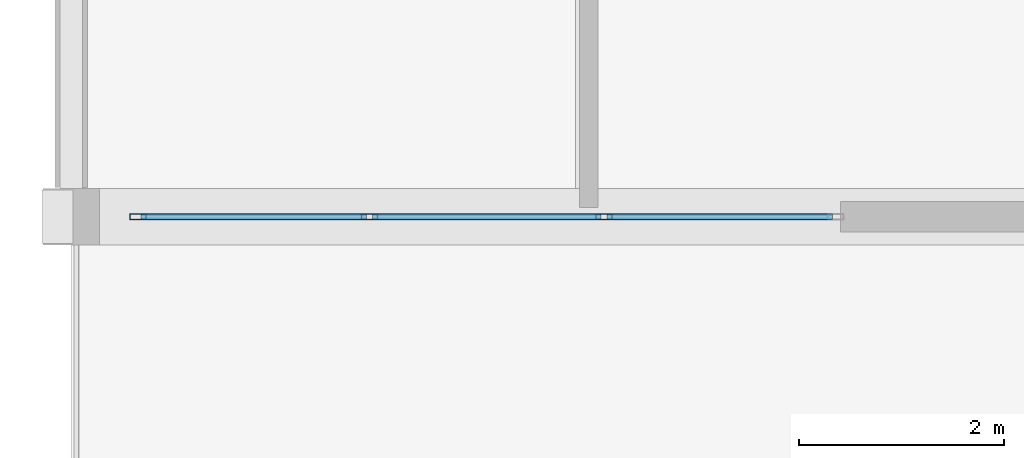
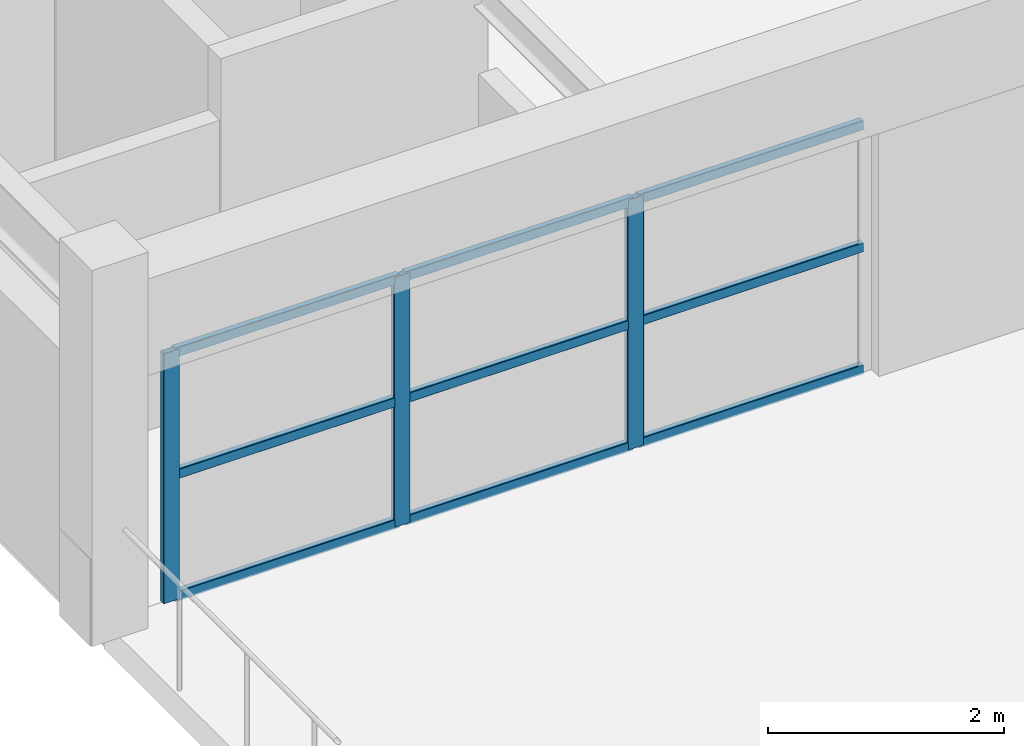
# One storey, part 2 of 101: 12 members, 1 element without a shape of its own.
"""IFC4 building model written with IfcOpenShell, lengths in metres."""

from ifc_helpers import new_model, si_unit, direction, frame, origin, origin_2d, place, context, subcontext, project, spatial, hollow_rectangle, extrude, material, material_profile, profile_set, type_object, element, aggregate, save


model = new_model("IFC4")

# Units and contexts
model_context = context("Model", 3, precision=1e-05, world=origin(), true_north=direction((0.0, 1.0)))
body_context = subcontext(model_context, "Body", "Model", "MODEL_VIEW")
ifc_project = project(units=[si_unit("LENGTHUNIT", "METRE"), si_unit("AREAUNIT", "SQUARE_METRE"), si_unit("VOLUMEUNIT", "CUBIC_METRE"), si_unit("PLANEANGLEUNIT", "RADIAN"), si_unit("MASSUNIT", "GRAM", prefix="KILO")], contexts=[model_context])

# Site, building, storey
site_placement = place(None, origin())
site = spatial("IfcSite", under=ifc_project, at=site_placement, CompositionType="ELEMENT")
building_placement = place(site_placement, origin())
building = spatial("IfcBuilding", under=site, at=building_placement, Name="Qasida Concert Hall", CompositionType="ELEMENT")
storey_placement = place(building_placement, frame((0.0, 0.0, 13.199951171875)))
storey = spatial("IfcBuildingStorey", under=building, at=storey_placement, Name="L03", CompositionType="ELEMENT", Elevation=13.199951171875)

# Curtain wall, members
ifc_material_1 = material(Name="Architectural bronze-anodized aluminium and low-E glass", Category="aluminium")
curtain_wall_type = type_object("IfcCurtainWallType", Name="CW-09", PredefinedType="NOTDEFINED", material=ifc_material_1)
curtain_wall_placement = place(storey_placement, origin())
curtain_wall = element("IfcCurtainWall", 1, at=curtain_wall_placement, inside=storey, type_object=curtain_wall_type, Name="L03 curtain wall CW-09 0117", PredefinedType="NOTDEFINED")
ifc_material_2 = material(Name="Architectural bronze-anodized aluminium EN AW-6063", Category="aluminium")
ifc_material_profile_1 = material_profile(ifc_material_2, hollow_rectangle(XDim=0.06005859375, YDim=0.159912109375, WallThickness=0.00390625, InnerFilletRadius=0.00390625, OuterFilletRadius=0.008056640625, at=origin_2d()), Name="CWM 160x60x4")
ifc_profile_set_1 = profile_set([ifc_material_profile_1], Name="Architectural bronze-anodized aluminium EN AW-6063")
member_type_1 = type_object("IfcMemberType", Name="MB-CWM-3", PredefinedType="MULLION", material=ifc_profile_set_1)
member_1_placement = place(storey_placement, frame((0.64990234375, 15.0, 0.0), z_axis=(0.0, 0.0, 1.0), x_axis=(0.0, 1.0, 0.0)))
member_1 = element("IfcMember", 2, at=member_1_placement, type_object=member_type_1, Name="CW-09 mullion 1", PredefinedType="MULLION", context=body_context, shape_type="SweptSolid", body=[
    extrude(hollow_rectangle(XDim=0.06005859375, YDim=0.159912109375, WallThickness=0.00390625, InnerFilletRadius=0.00390625, OuterFilletRadius=0.008056640625, at=origin_2d()), origin(), (0.0, 0.0, 1.0), 2.590087890625),
])
member_2_placement = place(storey_placement, frame((2.909912109375, 15.0, 0.0), z_axis=(0.0, 0.0, 1.0), x_axis=(0.0, 1.0, 0.0)))
member_2 = element("IfcMember", 3, at=member_2_placement, type_object=member_type_1, Name="CW-09 mullion 2", PredefinedType="MULLION", context=body_context, shape_type="SweptSolid", body=[
    extrude(hollow_rectangle(XDim=0.06005859375, YDim=0.159912109375, WallThickness=0.00390625, InnerFilletRadius=0.00390625, OuterFilletRadius=0.008056640625, at=origin_2d()), origin(), (0.0, 0.0, 1.0), 2.590087890625),
])
member_3_placement = place(storey_placement, frame((5.199951171875, 15.0, 0.0), z_axis=(0.0, 0.0, 1.0), x_axis=(0.0, 1.0, 0.0)))
member_3 = element("IfcMember", 4, at=member_3_placement, type_object=member_type_1, Name="CW-09 mullion 3", PredefinedType="MULLION", context=body_context, shape_type="SweptSolid", body=[
    extrude(hollow_rectangle(XDim=0.06005859375, YDim=0.159912109375, WallThickness=0.00390625, InnerFilletRadius=0.00390625, OuterFilletRadius=0.008056640625, at=origin_2d()), origin(), (0.0, 0.0, 1.0), 2.590087890625),
])
ifc_material_profile_2 = material_profile(ifc_material_2, hollow_rectangle(XDim=0.06005859375, YDim=0.10009765625, WallThickness=0.00341796875, InnerFilletRadius=0.00341796875, OuterFilletRadius=0.007080078125, at=origin_2d()), Name="CWT 100x60x3.5")
ifc_profile_set_2 = profile_set([ifc_material_profile_2], Name="Architectural bronze-anodized aluminium EN AW-6063")
member_type_2 = type_object("IfcMemberType", Name="MB-CWT-3", PredefinedType="USERDEFINED", material=ifc_profile_set_2)
member_4_placement = place(storey_placement, frame((0.679931640625, 15.0, 0.030029296875), z_axis=(1.0, 0.0, 0.0), x_axis=(0.0, 1.0, 0.0)))
member_4 = element("IfcMember", 5, at=member_4_placement, type_object=member_type_2, Name="CW-09 transom 1.1", ObjectType="TRANSOM", PredefinedType="USERDEFINED", context=body_context, shape_type="SweptSolid", body=[
    extrude(hollow_rectangle(XDim=0.06005859375, YDim=0.10009765625, WallThickness=0.00341796875, InnerFilletRadius=0.00341796875, OuterFilletRadius=0.007080078125, at=origin_2d()), origin(), (0.0, 0.0, 1.0), 2.199951171875),
])
member_5_placement = place(storey_placement, frame((0.679931640625, 15.0, 1.295166015625), z_axis=(1.0, 0.0, 0.0), x_axis=(0.0, 1.0, 0.0)))
member_5 = element("IfcMember", 6, at=member_5_placement, type_object=member_type_2, Name="CW-09 transom 1.2", ObjectType="TRANSOM", PredefinedType="USERDEFINED", context=body_context, shape_type="SweptSolid", body=[
    extrude(hollow_rectangle(XDim=0.06005859375, YDim=0.10009765625, WallThickness=0.00341796875, InnerFilletRadius=0.00341796875, OuterFilletRadius=0.007080078125, at=origin_2d()), origin(), (0.0, 0.0, 1.0), 2.199951171875),
])
member_6_placement = place(storey_placement, frame((0.679931640625, 15.0, 2.56005859375), z_axis=(1.0, 0.0, 0.0), x_axis=(0.0, 1.0, 0.0)))
member_6 = element("IfcMember", 7, at=member_6_placement, type_object=member_type_2, Name="CW-09 transom 1.3", ObjectType="TRANSOM", PredefinedType="USERDEFINED", context=body_context, shape_type="SweptSolid", body=[
    extrude(hollow_rectangle(XDim=0.06005859375, YDim=0.10009765625, WallThickness=0.00341796875, InnerFilletRadius=0.00341796875, OuterFilletRadius=0.007080078125, at=origin_2d()), origin(), (0.0, 0.0, 1.0), 2.199951171875),
])
member_7_placement = place(storey_placement, frame((2.93994140625, 15.0, 0.030029296875), z_axis=(1.0, 0.0, 0.0), x_axis=(0.0, 1.0, 0.0)))
member_7 = element("IfcMember", 8, at=member_7_placement, type_object=member_type_2, Name="CW-09 transom 2.1", ObjectType="TRANSOM", PredefinedType="USERDEFINED", context=body_context, shape_type="SweptSolid", body=[
    extrude(hollow_rectangle(XDim=0.06005859375, YDim=0.10009765625, WallThickness=0.00341796875, InnerFilletRadius=0.00341796875, OuterFilletRadius=0.007080078125, at=origin_2d()), origin(), (0.0, 0.0, 1.0), 2.22998046875),
])
member_8_placement = place(storey_placement, frame((2.93994140625, 15.0, 1.295166015625), z_axis=(1.0, 0.0, 0.0), x_axis=(0.0, 1.0, 0.0)))
member_8 = element("IfcMember", 9, at=member_8_placement, type_object=member_type_2, Name="CW-09 transom 2.2", ObjectType="TRANSOM", PredefinedType="USERDEFINED", context=body_context, shape_type="SweptSolid", body=[
    extrude(hollow_rectangle(XDim=0.06005859375, YDim=0.10009765625, WallThickness=0.00341796875, InnerFilletRadius=0.00341796875, OuterFilletRadius=0.007080078125, at=origin_2d()), origin(), (0.0, 0.0, 1.0), 2.22998046875),
])
member_9_placement = place(storey_placement, frame((2.93994140625, 15.0, 2.56005859375), z_axis=(1.0, 0.0, 0.0), x_axis=(0.0, 1.0, 0.0)))
member_9 = element("IfcMember", 10, at=member_9_placement, type_object=member_type_2, Name="CW-09 transom 2.3", ObjectType="TRANSOM", PredefinedType="USERDEFINED", context=body_context, shape_type="SweptSolid", body=[
    extrude(hollow_rectangle(XDim=0.06005859375, YDim=0.10009765625, WallThickness=0.00341796875, InnerFilletRadius=0.00341796875, OuterFilletRadius=0.007080078125, at=origin_2d()), origin(), (0.0, 0.0, 1.0), 2.22998046875),
])
member_10_placement = place(storey_placement, frame((5.22998046875, 15.0, 0.030029296875), z_axis=(1.0, 0.0, 0.0), x_axis=(0.0, 1.0, 0.0)))
member_10 = element("IfcMember", 11, at=member_10_placement, type_object=member_type_2, Name="CW-09 transom 3.1", ObjectType="TRANSOM", PredefinedType="USERDEFINED", context=body_context, shape_type="SweptSolid", body=[
    extrude(hollow_rectangle(XDim=0.06005859375, YDim=0.10009765625, WallThickness=0.00341796875, InnerFilletRadius=0.00341796875, OuterFilletRadius=0.007080078125, at=origin_2d()), origin(), (0.0, 0.0, 1.0), 2.199951171875),
])
member_11_placement = place(storey_placement, frame((5.22998046875, 15.0, 1.295166015625), z_axis=(1.0, 0.0, 0.0), x_axis=(0.0, 1.0, 0.0)))
member_11 = element("IfcMember", 12, at=member_11_placement, type_object=member_type_2, Name="CW-09 transom 3.2", ObjectType="TRANSOM", PredefinedType="USERDEFINED", context=body_context, shape_type="SweptSolid", body=[
    extrude(hollow_rectangle(XDim=0.06005859375, YDim=0.10009765625, WallThickness=0.00341796875, InnerFilletRadius=0.00341796875, OuterFilletRadius=0.007080078125, at=origin_2d()), origin(), (0.0, 0.0, 1.0), 2.199951171875),
])
member_12_placement = place(storey_placement, frame((5.22998046875, 15.0, 2.56005859375), z_axis=(1.0, 0.0, 0.0), x_axis=(0.0, 1.0, 0.0)))
member_12 = element("IfcMember", 13, at=member_12_placement, type_object=member_type_2, Name="CW-09 transom 3.3", ObjectType="TRANSOM", PredefinedType="USERDEFINED", context=body_context, shape_type="SweptSolid", body=[
    extrude(hollow_rectangle(XDim=0.06005859375, YDim=0.10009765625, WallThickness=0.00341796875, InnerFilletRadius=0.00341796875, OuterFilletRadius=0.007080078125, at=origin_2d()), origin(), (0.0, 0.0, 1.0), 2.199951171875),
])
aggregate(curtain_wall, [member_1, member_2, member_3, member_4, member_5, member_6, member_7, member_8, member_9, member_10, member_11, member_12])

save(model, "model.ifc")
